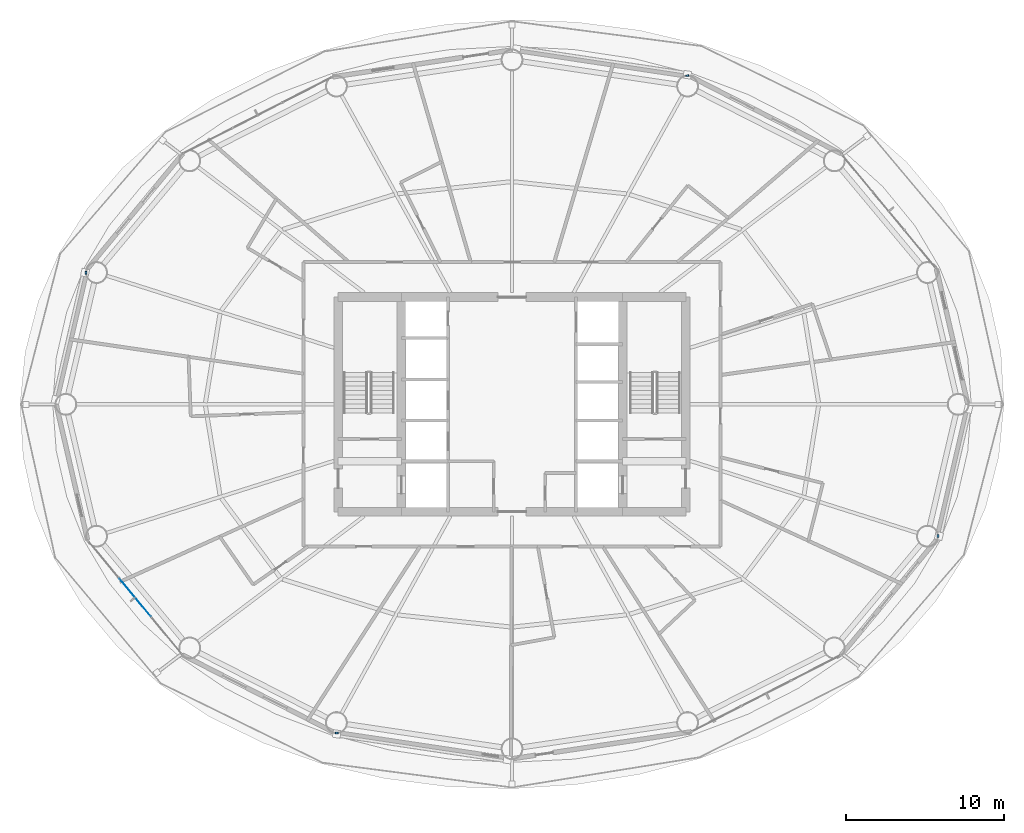
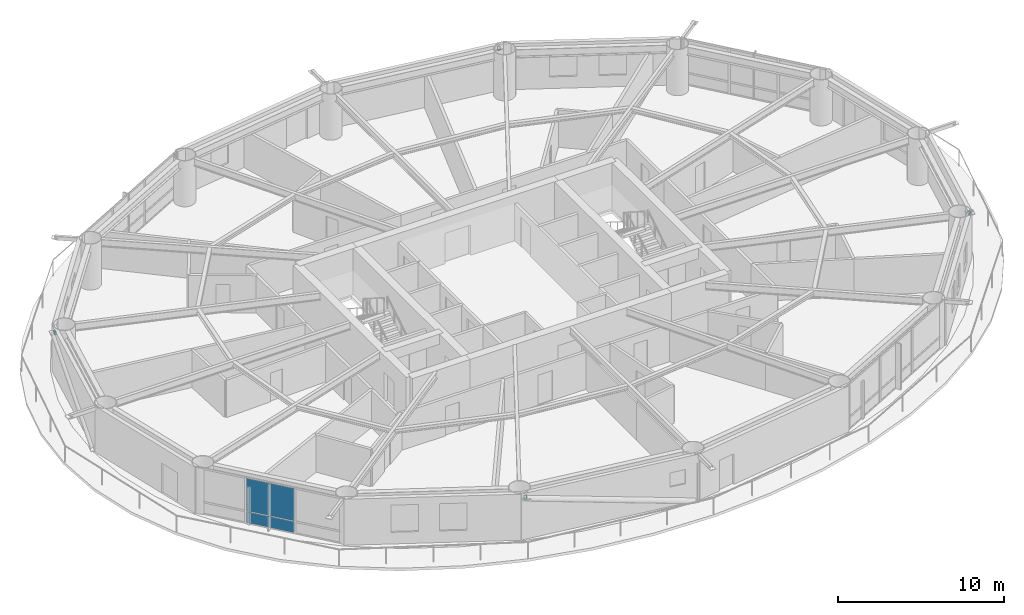
# One storey, part 13 of 24: 4 members, 2 plates, 1 element without a shape of its own.
"""IFC4 building model written with IfcOpenShell, lengths in metres."""

from ifc_helpers import new_model, si_unit, direction, frame, origin, origin_2d, place, context, subcontext, project, spatial, rectangle, hollow_rectangle, extrude, material, layer, layer_set, material_profile, profile_set, type_object, element, aggregate, save


model = new_model("IFC4")

# Units and contexts
model_context = context("Model", 3, precision=1e-05, world=origin(), true_north=direction((0.0, 1.0)))
body_context = subcontext(model_context, "Body", "Model", "MODEL_VIEW")
ifc_project = project(units=[si_unit("LENGTHUNIT", "METRE"), si_unit("AREAUNIT", "SQUARE_METRE"), si_unit("VOLUMEUNIT", "CUBIC_METRE"), si_unit("PLANEANGLEUNIT", "RADIAN"), si_unit("MASSUNIT", "GRAM", prefix="KILO")], contexts=[model_context])

# Site, building, storey
site_placement = place(None, origin())
site = spatial("IfcSite", under=ifc_project, at=site_placement, CompositionType="ELEMENT")
building_placement = place(site_placement, origin())
building = spatial("IfcBuilding", under=site, at=building_placement, Name="Sarneth Arch Tower", CompositionType="ELEMENT")
storey_placement = place(building_placement, frame((0.0, 0.0, 123.60009765625)))
storey = spatial("IfcBuildingStorey", under=building, at=storey_placement, Name="L31", CompositionType="ELEMENT", Elevation=123.60009765625)

# Members
ifc_material_1 = material(Name="Steel S355", Category="steel")
ifc_material_profile = material_profile(ifc_material_1, hollow_rectangle(XDim=0.199951171875, YDim=0.300048828125, WallThickness=0.012451171875, InnerFilletRadius=0.018798828125, OuterFilletRadius=0.03125, at=origin_2d()), Name="RHS300x200x12.5")
ifc_profile_set = profile_set([ifc_material_profile], Name="Steel S355")
member_type = type_object("IfcMemberType", Name="MEM-CANT-STRUT", PredefinedType="STRUT", material=ifc_profile_set)
member_1_placement = place(storey_placement, frame((59.095458984375, 62.747802734375, 3.01318359375), z_axis=(-0.024010543142, 0.999711705352, 0.0), x_axis=(-0.999711705352, -0.024010543142, 0.0)))
element("IfcMember", 1, at=member_1_placement, inside=storey, type_object=member_type, Name="L31 Exoskeleton brace node strut 04B", PredefinedType="STRUT", context=body_context, shape_type="SweptSolid", body=[
    extrude(hollow_rectangle(XDim=0.199951171875, YDim=0.300048828125, WallThickness=0.012451171875, InnerFilletRadius=0.018798828125, OuterFilletRadius=0.03125, at=origin_2d()), origin(), (0.0, 0.0, 1.0), 0.11181640625),
])
member_2_placement = place(storey_placement, frame((21.101318359375, 50.331787109375, 3.01318359375), z_axis=(-0.999834751713, -0.018178813668, 0.0), x_axis=(0.018178813668, -0.999834751713, 0.0)))
element("IfcMember", 2, at=member_2_placement, inside=storey, type_object=member_type, Name="L31 Exoskeleton brace node strut 08B", PredefinedType="STRUT", context=body_context, shape_type="SweptSolid", body=[
    extrude(hollow_rectangle(XDim=0.199951171875, YDim=0.300048828125, WallThickness=0.012451171875, InnerFilletRadius=0.018798828125, OuterFilletRadius=0.03125, at=origin_2d()), origin(), (0.0, 0.0, 1.0), 0.120849609375),
])
member_3_placement = place(storey_placement, frame((36.904541015625, 21.252197265625, 3.01318359375), z_axis=(0.024010543142, -0.999711705352, 0.0), x_axis=(0.999711705352, 0.024010543142, 0.0)))
element("IfcMember", 3, at=member_3_placement, inside=storey, type_object=member_type, Name="L31 Exoskeleton brace node strut 12B", PredefinedType="STRUT", context=body_context, shape_type="SweptSolid", body=[
    extrude(hollow_rectangle(XDim=0.199951171875, YDim=0.300048828125, WallThickness=0.012451171875, InnerFilletRadius=0.018798828125, OuterFilletRadius=0.03125, at=origin_2d()), origin(), (0.0, 0.0, 1.0), 0.11181640625),
])
member_4_placement = place(storey_placement, frame((74.898681640625, 33.668212890625, 3.01318359375), z_axis=(0.999834751713, 0.018178813668, 0.0), x_axis=(-0.018178813668, 0.999834751713, 0.0)))
element("IfcMember", 4, at=member_4_placement, inside=storey, type_object=member_type, Name="L31 Exoskeleton brace node strut 16B", PredefinedType="STRUT", context=body_context, shape_type="SweptSolid", body=[
    extrude(hollow_rectangle(XDim=0.199951171875, YDim=0.300048828125, WallThickness=0.012451171875, InnerFilletRadius=0.018798828125, OuterFilletRadius=0.03125, at=origin_2d()), origin(), (0.0, 0.0, 1.0), 0.120849609375),
])

# Curtain wall, plates
ifc_material_2 = material(Name="Anodised aluminium Type AA25 and solar-control low-e laminated IGU", Category="aluminium")
ifc_layer_1 = layer(ifc_material_2, 0.159912109375)
ifc_layer_set_1 = layer_set([ifc_layer_1], Name="Anodised aluminium Type AA25 and solar-control low-e laminated IGU")
curtain_wall_type = type_object("IfcCurtainWallType", Name="CW-HOTEL-MID", PredefinedType="NOTDEFINED", material=ifc_layer_set_1)
curtain_wall_placement = place(storey_placement, origin())
curtain_wall = element("IfcCurtainWall", 5, at=curtain_wall_placement, inside=storey, type_object=curtain_wall_type, Name="L31 Unitised curtain wall facet 10", PredefinedType="NOTDEFINED")
ifc_material_3 = material(Name="Solar-control low-e laminated IGU", Category="glass")
ifc_layer_2 = layer(ifc_material_3, 0.028076171875)
ifc_layer_set_2 = layer_set([ifc_layer_2], Name="Solar-control low-e laminated IGU")
plate_type = type_object("IfcPlateType", Name="CW-PANEL", PredefinedType="CURTAIN_PANEL", material=ifc_layer_set_2)
plate_1_placement = place(storey_placement, frame((24.1494140625, 29.778076171875, 0.059814453125), z_axis=(0.0, 0.0, 1.0), x_axis=(0.637515188684, -0.770437787363, 0.0)))
plate_1 = element("IfcPlate", 6, at=plate_1_placement, type_object=plate_type, Name="Curtain wall glazed vision pane CW-L31-F10/P01-00", PredefinedType="CURTAIN_PANEL", context=body_context, shape_type="SweptSolid", body=[
    extrude(rectangle(XDim=3.08837890625, YDim=0.028076171875, at=origin_2d()), origin(), (0.0, 0.0, 1.0), 0.81005859375),
])
plate_2_placement = place(storey_placement, frame((24.1494140625, 29.778076171875, 0.93017578125), z_axis=(0.0, 0.0, 1.0), x_axis=(0.637515188684, -0.770437787363, 0.0)))
plate_2 = element("IfcPlate", 7, at=plate_2_placement, type_object=plate_type, Name="Curtain wall glazed vision pane CW-L31-F10/P01-01", PredefinedType="CURTAIN_PANEL", context=body_context, shape_type="SweptSolid", body=[
    extrude(rectangle(XDim=3.08837890625, YDim=0.028076171875, at=origin_2d()), origin(), (0.0, 0.0, 1.0), 2.389892578125),
])
aggregate(curtain_wall, [plate_1, plate_2])

save(model, "model.ifc")
